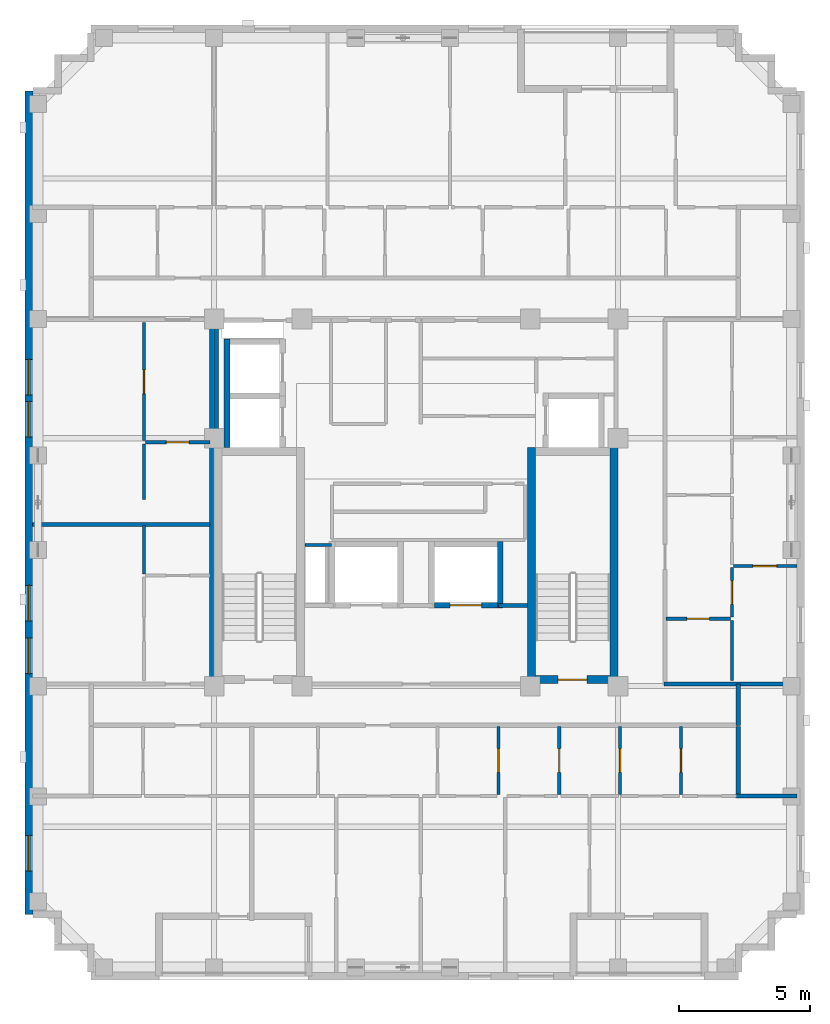
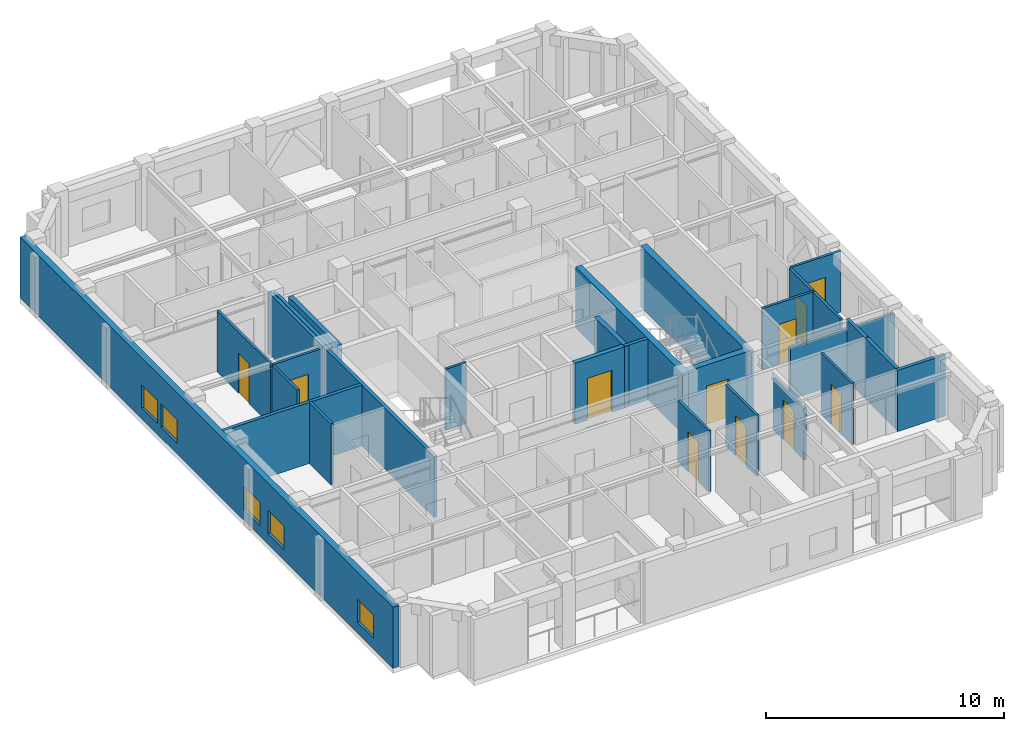
# One storey, part 4 of 11: 28 walls, 11 doors, 5 windows, 16 openings.
"""IFC4 building model written with IfcOpenShell, lengths in metres."""

from ifc_helpers import new_model, si_unit, derived_unit, direction, frame, frame_2d, origin, place, context, subcontext, project, spatial, rectangle, extrude, material, layer, layer_set, type_object, element, fill, save


model = new_model("IFC4")

# Units and contexts
model_context = context("Model", 3, precision=1e-05, world=origin(), true_north=direction((0.0, 1.0)))
body_context = subcontext(model_context, "Body", "Model", "MODEL_VIEW")
ifc_project = project(units=[si_unit("LENGTHUNIT", "METRE"), si_unit("AREAUNIT", "SQUARE_METRE"), si_unit("VOLUMEUNIT", "CUBIC_METRE"), si_unit("PLANEANGLEUNIT", "RADIAN"), si_unit("MASSUNIT", "GRAM", prefix="KILO"), derived_unit("THERMALTRANSMITTANCEUNIT", [(si_unit("MASSUNIT", "GRAM", prefix="KILO"), 1), (si_unit("TIMEUNIT", "SECOND"), -3), (si_unit("THERMODYNAMICTEMPERATUREUNIT", "KELVIN"), -1)])], contexts=[model_context])

# Site, building, storey
site_placement = place(None, origin())
site = spatial("IfcSite", under=ifc_project, at=site_placement, CompositionType="ELEMENT")
building_placement = place(site_placement, origin())
building = spatial("IfcBuilding", under=site, at=building_placement, Name="Korrvale Station Residences", CompositionType="ELEMENT")
storey_placement = place(building_placement, frame((0.0, 0.0, 241.10009765625)))
storey = spatial("IfcBuildingStorey", under=building, at=storey_placement, Name="L70", CompositionType="ELEMENT", Elevation=241.10009765625)

# Walls
ifc_material_1 = material(Name="Concrete C50/60", Category="concrete")
ifc_layer_1 = layer(ifc_material_1, 0.300048828125, Name="Concrete C50/60")
ifc_layer_set_1 = layer_set([ifc_layer_1], Name="Concrete C50/60")
wall_type_1 = type_object("IfcWallType", Name="WAL-CORE-300-C50", PredefinedType="SHEAR", material=ifc_layer_set_1)
for number, where, z_axis, x_axis, name in (
    (1, (29.89990234375, 15.10009765625, 0.0), (0.0, 0.0, 1.0), (0.0, 1.0, 0.0), "L70 ST-2 Core Shear Wall West"),
    (2, (33.050048828125, 15.10009765625, 0.0), (0.0, 0.0, 1.0), (0.0, 1.0, 0.0), "L70 ST-2 Core Shear Wall East"),
):
    element("IfcWall", number, at=place(storey_placement, frame(where, z_axis=z_axis, x_axis=x_axis)), inside=storey, type_object=wall_type_1, Name=name, PredefinedType="SHEAR", context=body_context, shape_type="SweptSolid", body=[
        extrude(rectangle(XDim=9.0, YDim=0.300048828125, at=frame_2d((4.5, 0.0))), origin(), (0.0, 0.0, 1.0), 3.139892578125),
    ])

# Wall, opening, door
wall_1_placement = place(storey_placement, frame((30.050048828125, 15.25, 0.0), z_axis=(0.0, 0.0, 1.0), x_axis=(1.0, 0.0, 0.0)))
wall_1 = element("IfcWall", 3, at=wall_1_placement, inside=storey, type_object=wall_type_1, Name="L70 ST-2 Core Shear Wall South", PredefinedType="SHEAR", context=body_context, shape_type="SweptSolid", body=[
    extrude(rectangle(XDim=2.849853515625, YDim=0.300048828125, at=frame_2d((1.4248046875, 0.0))), origin(), (0.0, 0.0, 1.0), 3.139892578125),
])
opening_1_placement = place(wall_1_placement, frame((0.860107421875, 0.0, 0.0)))
opening_1 = element("IfcOpeningElement", 4, at=opening_1_placement, cuts=wall_1, Name="Opening SD-1100", PredefinedType="OPENING", context=body_context, shape_type="SweptSolid", body=[
    extrude(rectangle(XDim=1.10009765625, YDim=2.050048828125, at=frame_2d((0.550048828125, 1.02490234375))), frame((0.0, 0.16015625, 0.0), z_axis=(0.0, -1.0, 0.0), x_axis=(1.0, 0.0, 0.0)), (0.0, 0.0, 1.0), 0.320068359375),
])
ifc_material_2 = material(Name="Hollow-metal fire-rated stair door with closer", Category="steel")
door_type_1 = type_object("IfcDoorType", Name="DR-STAIR-1100", OperationType="NOTDEFINED", PredefinedType="DOOR", material=ifc_material_2)
door_1_placement = place(opening_1_placement, origin())
door_1 = element("IfcDoor", 5, at=door_1_placement, inside=storey, type_object=door_type_1, Name="L70 ST-2 Exit Stair Door", OperationType="SINGLE_SWING_RIGHT", OverallHeight=2.050048828125, OverallWidth=1.10009765625, PredefinedType="DOOR", context=body_context, shape_type="SweptSolid", body=[
    extrude(rectangle(XDim=1.10009765625, YDim=2.050048828125, at=frame_2d((0.550048828125, 1.02490234375))), frame((0.0, 0.02490234375, 0.0), z_axis=(0.0, -1.0, 0.0), x_axis=(1.0, 0.0, 0.0)), (0.0, 0.0, 1.0), 0.050048828125),
])
fill(opening_1, door_1)

# Wall, openings, windows
ifc_material_3 = material(Name="Precast concrete C45/55", Category="concrete")
ifc_layer_2 = layer(ifc_material_3, 0.300048828125, Name="Precast concrete C45/55")
ifc_layer_set_2 = layer_set([ifc_layer_2], Name="Precast concrete C45/55")
wall_type_2 = type_object("IfcWallType", Name="WAL-EXT-PC300", PredefinedType="SOLIDWALL", material=ifc_layer_set_2)
wall_2_placement = place(storey_placement, frame((10.75, 6.300048828125, 0.0), z_axis=(0.0, 0.0, 1.0), x_axis=(0.0, 1.0, 0.0)))
wall_2 = element("IfcWall", 6, at=wall_2_placement, inside=storey, type_object=wall_type_2, Name="L70 West Exterior Precast Wall 1", PredefinedType="SOLIDWALL", context=body_context, shape_type="SweptSolid", body=[
    extrude(rectangle(XDim=31.39990234375, YDim=0.300048828125, at=frame_2d((15.699951171875, 0.0))), origin(), (0.0, 0.0, 1.0), 3.139892578125),
])
opening_2_placement = place(wall_2_placement, frame((1.653076171875, 0.0, 0.550048828125)))
opening_2 = element("IfcOpeningElement", 7, at=opening_2_placement, cuts=wall_2, Name="Opening W-10", PredefinedType="OPENING", context=body_context, shape_type="SweptSolid", body=[
    extrude(rectangle(XDim=1.35009765625, YDim=1.199951171875, at=frame_2d((0.675048828125, 0.60009765625))), frame((0.0, 0.16015625, 0.0), z_axis=(0.0, -1.0, 0.0), x_axis=(1.0, 0.0, 0.0)), (0.0, 0.0, 1.0), 0.320068359375),
])
opening_3_placement = place(wall_2_placement, frame((11.194091796875, 0.0, 0.550048828125)))
opening_3 = element("IfcOpeningElement", 8, at=opening_3_placement, cuts=wall_2, Name="Opening W-10", PredefinedType="OPENING", context=body_context, shape_type="SweptSolid", body=[
    extrude(rectangle(XDim=1.35009765625, YDim=1.199951171875, at=frame_2d((0.675048828125, 0.60009765625))), frame((0.0, 0.16015625, 0.0), z_axis=(0.0, -1.0, 0.0), x_axis=(1.0, 0.0, 0.0)), (0.0, 0.0, 1.0), 0.320068359375),
])
opening_4_placement = place(wall_2_placement, frame((9.18505859375, 0.0, 0.550048828125)))
opening_4 = element("IfcOpeningElement", 9, at=opening_4_placement, cuts=wall_2, Name="Opening W-10", PredefinedType="OPENING", context=body_context, shape_type="SweptSolid", body=[
    extrude(rectangle(XDim=1.35009765625, YDim=1.199951171875, at=frame_2d((0.675048828125, 0.60009765625))), frame((0.0, 0.16015625, 0.0), z_axis=(0.0, -1.0, 0.0), x_axis=(1.0, 0.0, 0.0)), (0.0, 0.0, 1.0), 0.320068359375),
])
opening_5_placement = place(wall_2_placement, frame((18.199951171875, 0.0, 0.550048828125)))
opening_5 = element("IfcOpeningElement", 10, at=opening_5_placement, cuts=wall_2, Name="Opening W-10", PredefinedType="OPENING", context=body_context, shape_type="SweptSolid", body=[
    extrude(rectangle(XDim=1.35009765625, YDim=1.199951171875, at=frame_2d((0.675048828125, 0.60009765625))), frame((0.0, 0.16015625, 0.0), z_axis=(0.0, -1.0, 0.0), x_axis=(1.0, 0.0, 0.0)), (0.0, 0.0, 1.0), 0.320068359375),
])
opening_6_placement = place(wall_2_placement, frame((19.81005859375, 0.0, 0.550048828125)))
opening_6 = element("IfcOpeningElement", 11, at=opening_6_placement, cuts=wall_2, Name="Opening W-10", PredefinedType="OPENING", context=body_context, shape_type="SweptSolid", body=[
    extrude(rectangle(XDim=1.35009765625, YDim=1.199951171875, at=frame_2d((0.675048828125, 0.60009765625))), frame((0.0, 0.16015625, 0.0), z_axis=(0.0, -1.0, 0.0), x_axis=(1.0, 0.0, 0.0)), (0.0, 0.0, 1.0), 0.320068359375),
])
ifc_material_4 = material(Name="Thermally broken aluminium frame with triple low-e glazing", Category="aluminium")
window_type = type_object("IfcWindowType", Name="WIN-W10", PartitioningType="SINGLE_PANEL", PredefinedType="WINDOW", material=ifc_material_4)
window_1_placement = place(opening_2_placement, origin())
window_1 = element("IfcWindow", 12, at=window_1_placement, inside=storey, type_object=window_type, Name="L70 Punched Window 01", OverallHeight=1.199951171875, OverallWidth=1.35009765625, PartitioningType="SINGLE_PANEL", PredefinedType="WINDOW", context=body_context, shape_type="SweptSolid", body=[
    extrude(rectangle(XDim=1.35009765625, YDim=1.199951171875, at=frame_2d((0.675048828125, 0.60009765625))), frame((0.0, 0.030029296875, 0.0), z_axis=(0.0, -1.0, 0.0), x_axis=(1.0, 0.0, 0.0)), (0.0, 0.0, 1.0), 0.06005859375),
])
fill(opening_2, window_1)
window_2_placement = place(opening_3_placement, origin())
window_2 = element("IfcWindow", 13, at=window_2_placement, inside=storey, type_object=window_type, Name="L70 Punched Window 11", OverallHeight=1.199951171875, OverallWidth=1.35009765625, PartitioningType="SINGLE_PANEL", PredefinedType="WINDOW", context=body_context, shape_type="SweptSolid", body=[
    extrude(rectangle(XDim=1.35009765625, YDim=1.199951171875, at=frame_2d((0.675048828125, 0.60009765625))), frame((0.0, 0.030029296875, 0.0), z_axis=(0.0, -1.0, 0.0), x_axis=(1.0, 0.0, 0.0)), (0.0, 0.0, 1.0), 0.06005859375),
])
fill(opening_3, window_2)
window_3_placement = place(opening_4_placement, origin())
window_3 = element("IfcWindow", 14, at=window_3_placement, inside=storey, type_object=window_type, Name="L70 Punched Window 12", OverallHeight=1.199951171875, OverallWidth=1.35009765625, PartitioningType="SINGLE_PANEL", PredefinedType="WINDOW", context=body_context, shape_type="SweptSolid", body=[
    extrude(rectangle(XDim=1.35009765625, YDim=1.199951171875, at=frame_2d((0.675048828125, 0.60009765625))), frame((0.0, 0.030029296875, 0.0), z_axis=(0.0, -1.0, 0.0), x_axis=(1.0, 0.0, 0.0)), (0.0, 0.0, 1.0), 0.06005859375),
])
fill(opening_4, window_3)
window_4_placement = place(opening_5_placement, origin())
window_4 = element("IfcWindow", 15, at=window_4_placement, inside=storey, type_object=window_type, Name="L70 Punched Window 13", OverallHeight=1.199951171875, OverallWidth=1.35009765625, PartitioningType="SINGLE_PANEL", PredefinedType="WINDOW", context=body_context, shape_type="SweptSolid", body=[
    extrude(rectangle(XDim=1.35009765625, YDim=1.199951171875, at=frame_2d((0.675048828125, 0.60009765625))), frame((0.0, 0.030029296875, 0.0), z_axis=(0.0, -1.0, 0.0), x_axis=(1.0, 0.0, 0.0)), (0.0, 0.0, 1.0), 0.06005859375),
])
fill(opening_5, window_4)
window_5_placement = place(opening_6_placement, origin())
window_5 = element("IfcWindow", 16, at=window_5_placement, inside=storey, type_object=window_type, Name="L70 Punched Window 14", OverallHeight=1.199951171875, OverallWidth=1.35009765625, PartitioningType="SINGLE_PANEL", PredefinedType="WINDOW", context=body_context, shape_type="SweptSolid", body=[
    extrude(rectangle(XDim=1.35009765625, YDim=1.199951171875, at=frame_2d((0.675048828125, 0.60009765625))), frame((0.0, 0.030029296875, 0.0), z_axis=(0.0, -1.0, 0.0), x_axis=(1.0, 0.0, 0.0)), (0.0, 0.0, 1.0), 0.06005859375),
])
fill(opening_6, window_5)

# Wall
ifc_material_5 = material(Name="Acoustic steel-stud gypsum board partition", Category="steel")
ifc_layer_3 = layer(ifc_material_5, 0.1201171875, Name="Acoustic steel-stud gypsum board partition")
ifc_layer_set_3 = layer_set([ifc_layer_3], Name="Acoustic steel-stud gypsum board partition")
wall_type_3 = type_object("IfcWallType", Name="WAL-PART-125", PredefinedType="PARTITIONING", material=ifc_layer_set_3)
wall_3_placement = place(storey_placement, frame((22.280029296875, 20.3798828125, 0.0), z_axis=(0.0, 0.0, 1.0), x_axis=(-1.0, 0.0, 0.0)))
element("IfcWall", 17, at=wall_3_placement, inside=storey, type_object=wall_type_3, Name="L70 Core Partition CW-RSWT-N", PredefinedType="PARTITIONING", context=body_context, shape_type="SweptSolid", body=[
    extrude(rectangle(XDim=1.02001953125, YDim=0.1201171875, at=frame_2d((0.510009765625, 0.0))), origin(), (0.0, 0.0, 1.0), 3.139892578125),
])

# Wall, opening, door
wall_4_placement = place(storey_placement, frame((28.638916015625, 10.8701171875, 0.0), z_axis=(0.0, 0.0, 1.0), x_axis=(0.0, 1.0, 0.0)))
wall_4 = element("IfcWall", 18, at=wall_4_placement, inside=storey, type_object=wall_type_3, Name="L70 Suite Partition U02-V23", PredefinedType="PARTITIONING", context=body_context, shape_type="SweptSolid", body=[
    extrude(rectangle(XDim=2.599853515625, YDim=0.1201171875, at=frame_2d((1.2998046875, 0.0))), origin(), (0.0, 0.0, 1.0), 3.139892578125),
])
opening_7_placement = place(wall_4_placement, frame((0.85009765625, 0.0, 0.0)))
opening_7 = element("IfcOpeningElement", 19, at=opening_7_placement, cuts=wall_4, Name="Opening DI-900", PredefinedType="OPENING", context=body_context, shape_type="SweptSolid", body=[
    extrude(rectangle(XDim=0.89990234375, YDim=2.050048828125, at=frame_2d((0.449951171875, 1.02490234375))), frame((0.0, 0.070068359375, 0.0), z_axis=(0.0, -1.0, 0.0), x_axis=(1.0, 0.0, 0.0)), (0.0, 0.0, 1.0), 0.14013671875),
])
ifc_material_6 = material(Name="Painted solid-core timber interior room door", Category="wood")
door_type_2 = type_object("IfcDoorType", Name="DR-INT-900", OperationType="NOTDEFINED", PredefinedType="DOOR", material=ifc_material_6)
door_2_placement = place(opening_7_placement, origin())
door_2 = element("IfcDoor", 20, at=door_2_placement, inside=storey, type_object=door_type_2, Name="L70 Studio Apartment L70-U02 Wardrobe Storage Room Door", OperationType="SINGLE_SWING_RIGHT", OverallHeight=2.050048828125, OverallWidth=0.89990234375, PredefinedType="DOOR", context=body_context, shape_type="SweptSolid", body=[
    extrude(rectangle(XDim=0.89990234375, YDim=2.050048828125, at=frame_2d((0.449951171875, 1.02490234375))), frame((0.0, 0.02490234375, 0.0), z_axis=(0.0, -1.0, 0.0), x_axis=(1.0, 0.0, 0.0)), (0.0, 0.0, 1.0), 0.050048828125),
])
fill(opening_7, door_2)

wall_5_placement = place(storey_placement, frame((30.958984375, 10.8701171875, 0.0), z_axis=(0.0, 0.0, 1.0), x_axis=(0.0, 1.0, 0.0)))
wall_5 = element("IfcWall", 21, at=wall_5_placement, inside=storey, type_object=wall_type_3, Name="L70 Suite Partition U02-V34", PredefinedType="PARTITIONING", context=body_context, shape_type="SweptSolid", body=[
    extrude(rectangle(XDim=2.599853515625, YDim=0.1201171875, at=frame_2d((1.2998046875, 0.0))), origin(), (0.0, 0.0, 1.0), 3.139892578125),
])
opening_8_placement = place(wall_5_placement, frame((0.85009765625, 0.0, 0.0)))
opening_8 = element("IfcOpeningElement", 22, at=opening_8_placement, cuts=wall_5, Name="Opening DI-900", PredefinedType="OPENING", context=body_context, shape_type="SweptSolid", body=[
    extrude(rectangle(XDim=0.89990234375, YDim=2.050048828125, at=frame_2d((0.449951171875, 1.02490234375))), frame((0.0, 0.070068359375, 0.0), z_axis=(0.0, -1.0, 0.0), x_axis=(1.0, 0.0, 0.0)), (0.0, 0.0, 1.0), 0.14013671875),
])
door_3_placement = place(opening_8_placement, origin())
door_3 = element("IfcDoor", 23, at=door_3_placement, inside=storey, type_object=door_type_2, Name="L70 Studio Apartment L70-U02 Wardrobe Storage Room Door", OperationType="SINGLE_SWING_RIGHT", OverallHeight=2.050048828125, OverallWidth=0.89990234375, PredefinedType="DOOR", context=body_context, shape_type="SweptSolid", body=[
    extrude(rectangle(XDim=0.89990234375, YDim=2.050048828125, at=frame_2d((0.449951171875, 1.02490234375))), frame((0.0, 0.02490234375, 0.0), z_axis=(0.0, -1.0, 0.0), x_axis=(1.0, 0.0, 0.0)), (0.0, 0.0, 1.0), 0.050048828125),
])
fill(opening_8, door_3)

wall_6_placement = place(storey_placement, frame((33.279052734375, 10.8701171875, 0.0), z_axis=(0.0, 0.0, 1.0), x_axis=(0.0, 1.0, 0.0)))
wall_6 = element("IfcWall", 24, at=wall_6_placement, inside=storey, type_object=wall_type_3, Name="L70 Suite Partition U02-V45", PredefinedType="PARTITIONING", context=body_context, shape_type="SweptSolid", body=[
    extrude(rectangle(XDim=2.599853515625, YDim=0.1201171875, at=frame_2d((1.2998046875, 0.0))), origin(), (0.0, 0.0, 1.0), 2.66796875),
])
opening_9_placement = place(wall_6_placement, frame((0.85009765625, 0.0, 0.0)))
opening_9 = element("IfcOpeningElement", 25, at=opening_9_placement, cuts=wall_6, Name="Opening DI-900", PredefinedType="OPENING", context=body_context, shape_type="SweptSolid", body=[
    extrude(rectangle(XDim=0.89990234375, YDim=2.050048828125, at=frame_2d((0.449951171875, 1.02490234375))), frame((0.0, 0.070068359375, 0.0), z_axis=(0.0, -1.0, 0.0), x_axis=(1.0, 0.0, 0.0)), (0.0, 0.0, 1.0), 0.14013671875),
])
door_4_placement = place(opening_9_placement, origin())
door_4 = element("IfcDoor", 26, at=door_4_placement, inside=storey, type_object=door_type_2, Name="L70 Studio Apartment L70-U02 Wardrobe Storage Room Door", OperationType="SINGLE_SWING_RIGHT", OverallHeight=2.050048828125, OverallWidth=0.89990234375, PredefinedType="DOOR", context=body_context, shape_type="SweptSolid", body=[
    extrude(rectangle(XDim=0.89990234375, YDim=2.050048828125, at=frame_2d((0.449951171875, 1.02490234375))), frame((0.0, 0.02490234375, 0.0), z_axis=(0.0, -1.0, 0.0), x_axis=(1.0, 0.0, 0.0)), (0.0, 0.0, 1.0), 0.050048828125),
])
fill(opening_9, door_4)

wall_7_placement = place(storey_placement, frame((35.59912109375, 10.8701171875, 0.0), z_axis=(0.0, 0.0, 1.0), x_axis=(0.0, 1.0, 0.0)))
wall_7 = element("IfcWall", 27, at=wall_7_placement, inside=storey, type_object=wall_type_3, Name="L70 Suite Partition U02-V56", PredefinedType="PARTITIONING", context=body_context, shape_type="SweptSolid", body=[
    extrude(rectangle(XDim=2.599853515625, YDim=0.1201171875, at=frame_2d((1.2998046875, 0.0))), origin(), (0.0, 0.0, 1.0), 3.139892578125),
])
opening_10_placement = place(wall_7_placement, frame((0.85009765625, 0.0, 0.0)))
opening_10 = element("IfcOpeningElement", 28, at=opening_10_placement, cuts=wall_7, Name="Opening DI-900", PredefinedType="OPENING", context=body_context, shape_type="SweptSolid", body=[
    extrude(rectangle(XDim=0.89990234375, YDim=2.050048828125, at=frame_2d((0.449951171875, 1.02490234375))), frame((0.0, 0.070068359375, 0.0), z_axis=(0.0, -1.0, 0.0), x_axis=(1.0, 0.0, 0.0)), (0.0, 0.0, 1.0), 0.14013671875),
])
door_5_placement = place(opening_10_placement, origin())
door_5 = element("IfcDoor", 29, at=door_5_placement, inside=storey, type_object=door_type_2, Name="L70 Studio Apartment L70-U02 Wardrobe Storage Room Door", OperationType="SINGLE_SWING_LEFT", OverallHeight=2.050048828125, OverallWidth=0.89990234375, PredefinedType="DOOR", context=body_context, shape_type="SweptSolid", body=[
    extrude(rectangle(XDim=0.89990234375, YDim=2.050048828125, at=frame_2d((0.449951171875, 1.02490234375))), frame((0.0, 0.02490234375, 0.0), z_axis=(0.0, -1.0, 0.0), x_axis=(1.0, 0.0, 0.0)), (0.0, 0.0, 1.0), 0.050048828125),
])
fill(opening_10, door_5)

# Wall
wall_8_placement = place(storey_placement, frame((15.1298828125, 19.27587890625, 0.0), z_axis=(0.0, 0.0, 1.0), x_axis=(0.0, 1.0, 0.0)))
element("IfcWall", 30, at=wall_8_placement, inside=storey, type_object=wall_type_3, Name="L70 Suite Partition U04-V02", PredefinedType="PARTITIONING", context=body_context, shape_type="SweptSolid", body=[
    extrude(rectangle(XDim=1.85009765625, YDim=0.1201171875, at=frame_2d((0.925048828125, 0.0))), origin(), (0.0, 0.0, 1.0), 3.139892578125),
])

# Wall, opening, door
wall_9_placement = place(storey_placement, frame((15.18994140625, 24.300048828125, 0.0), z_axis=(0.0, 0.0, 1.0), x_axis=(1.0, 0.0, 0.0)))
wall_9 = element("IfcWall", 31, at=wall_9_placement, inside=storey, type_object=wall_type_3, Name="L70 Suite Partition U05-H01", PredefinedType="PARTITIONING", context=body_context, shape_type="SweptSolid", body=[
    extrude(rectangle(XDim=2.449951171875, YDim=0.1201171875, at=frame_2d((1.22509765625, 0.0))), origin(), (0.0, 0.0, 1.0), 3.139892578125),
])
opening_11_placement = place(wall_9_placement, frame((0.794921875, 0.0, 0.0)))
opening_11 = element("IfcOpeningElement", 32, at=opening_11_placement, cuts=wall_9, Name="Opening DB-860", PredefinedType="OPENING", context=body_context, shape_type="SweptSolid", body=[
    extrude(rectangle(XDim=0.860107421875, YDim=2.050048828125, at=frame_2d((0.43017578125, 1.02490234375))), frame((0.0, 0.070068359375, 0.0), z_axis=(0.0, -1.0, 0.0), x_axis=(1.0, 0.0, 0.0)), (0.0, 0.0, 1.0), 0.14013671875),
])
ifc_material_7 = material(Name="Moisture-resistant solid-core bathroom door", Category="timber")
door_type_3 = type_object("IfcDoorType", Name="DR-BATH-860", OperationType="NOTDEFINED", PredefinedType="DOOR", material=ifc_material_7)
door_6_placement = place(opening_11_placement, origin())
door_6 = element("IfcDoor", 33, at=door_6_placement, inside=storey, type_object=door_type_3, Name="L70 Studio Apartment L70-U05 Bathroom Door", OperationType="SINGLE_SWING_LEFT", OverallHeight=2.050048828125, OverallWidth=0.860107421875, PredefinedType="DOOR", context=body_context, shape_type="SweptSolid", body=[
    extrude(rectangle(XDim=0.860107421875, YDim=2.050048828125, at=frame_2d((0.43017578125, 1.02490234375))), frame((0.0, 0.02490234375, 0.0), z_axis=(0.0, -1.0, 0.0), x_axis=(1.0, 0.0, 0.0)), (0.0, 0.0, 1.0), 0.050048828125),
])
fill(opening_11, door_6)

# Wall
wall_10_placement = place(storey_placement, frame((15.1298828125, 22.118896484375, 0.0), z_axis=(0.0, 0.0, 1.0), x_axis=(0.0, 1.0, 0.0)))
element("IfcWall", 34, at=wall_10_placement, inside=storey, type_object=wall_type_3, Name="L70 Suite Partition U05-V02", PredefinedType="PARTITIONING", context=body_context, shape_type="SweptSolid", body=[
    extrude(rectangle(XDim=2.12109375, YDim=0.1201171875, at=frame_2d((1.060546875, 0.0))), origin(), (0.0, 0.0, 1.0), 3.139892578125),
])

# Wall, opening, door
wall_11_placement = place(storey_placement, frame((15.1298828125, 24.360107421875, 0.0), z_axis=(0.0, 0.0, 1.0), x_axis=(0.0, 1.0, 0.0)))
wall_11 = element("IfcWall", 35, at=wall_11_placement, inside=storey, type_object=wall_type_3, Name="L70 Suite Partition U05-V12", PredefinedType="PARTITIONING", context=body_context, shape_type="SweptSolid", body=[
    extrude(rectangle(XDim=4.5, YDim=0.1201171875, at=frame_2d((2.25, 0.0))), origin(), (0.0, 0.0, 1.0), 3.139892578125),
])
opening_12_placement = place(wall_11_placement, frame((1.800048828125, 0.0, 0.0)))
opening_12 = element("IfcOpeningElement", 36, at=opening_12_placement, cuts=wall_11, Name="Opening DI-900", PredefinedType="OPENING", context=body_context, shape_type="SweptSolid", body=[
    extrude(rectangle(XDim=0.89990234375, YDim=2.050048828125, at=frame_2d((0.449951171875, 1.02490234375))), frame((0.0, 0.070068359375, 0.0), z_axis=(0.0, -1.0, 0.0), x_axis=(1.0, 0.0, 0.0)), (0.0, 0.0, 1.0), 0.14013671875),
])
door_7_placement = place(opening_12_placement, origin())
door_7 = element("IfcDoor", 37, at=door_7_placement, inside=storey, type_object=door_type_2, Name="L70 Studio Apartment L70-U05 Kitchen Door", OperationType="SINGLE_SWING_RIGHT", OverallHeight=2.050048828125, OverallWidth=0.89990234375, PredefinedType="DOOR", context=body_context, shape_type="SweptSolid", body=[
    extrude(rectangle(XDim=0.89990234375, YDim=2.050048828125, at=frame_2d((0.449951171875, 1.02490234375))), frame((0.0, 0.02490234375, 0.0), z_axis=(0.0, -1.0, 0.0), x_axis=(1.0, 0.0, 0.0)), (0.0, 0.0, 1.0), 0.050048828125),
])
fill(opening_12, door_7)

wall_12_placement = place(storey_placement, frame((35.030029296875, 17.570068359375, 0.0), z_axis=(0.0, 0.0, 1.0), x_axis=(1.0, 0.0, 0.0)))
wall_12 = element("IfcWall", 38, at=wall_12_placement, inside=storey, type_object=wall_type_3, Name="L70 Suite Partition U06-H12", PredefinedType="PARTITIONING", context=body_context, shape_type="SweptSolid", body=[
    extrude(rectangle(XDim=2.449951171875, YDim=0.1201171875, at=frame_2d((1.22509765625, 0.0))), origin(), (0.0, 0.0, 1.0), 3.139892578125),
])
opening_13_placement = place(wall_12_placement, frame((0.794921875, 0.0, 0.0)))
opening_13 = element("IfcOpeningElement", 39, at=opening_13_placement, cuts=wall_12, Name="Opening DB-860", PredefinedType="OPENING", context=body_context, shape_type="SweptSolid", body=[
    extrude(rectangle(XDim=0.860107421875, YDim=2.050048828125, at=frame_2d((0.43017578125, 1.02490234375))), frame((0.0, 0.070068359375, 0.0), z_axis=(0.0, -1.0, 0.0), x_axis=(1.0, 0.0, 0.0)), (0.0, 0.0, 1.0), 0.14013671875),
])
door_8_placement = place(opening_13_placement, origin())
door_8 = element("IfcDoor", 40, at=door_8_placement, inside=storey, type_object=door_type_3, Name="L70 Apartment 2BR L70-U06 Bathroom Door", OperationType="SINGLE_SWING_RIGHT", OverallHeight=2.050048828125, OverallWidth=0.860107421875, PredefinedType="DOOR", context=body_context, shape_type="SweptSolid", body=[
    extrude(rectangle(XDim=0.860107421875, YDim=2.050048828125, at=frame_2d((0.43017578125, 1.02490234375))), frame((0.0, 0.02490234375, 0.0), z_axis=(0.0, -1.0, 0.0), x_axis=(1.0, 0.0, 0.0)), (0.0, 0.0, 1.0), 0.050048828125),
])
fill(opening_13, door_8)

# Wall
wall_13_placement = place(storey_placement, frame((37.5400390625, 15.2099609375, 0.0), z_axis=(0.0, 0.0, 1.0), x_axis=(0.0, 1.0, 0.0)))
element("IfcWall", 41, at=wall_13_placement, inside=storey, type_object=wall_type_3, Name="L70 Suite Partition U06-V13", PredefinedType="PARTITIONING", context=body_context, shape_type="SweptSolid", body=[
    extrude(rectangle(XDim=2.300048828125, YDim=0.1201171875, at=frame_2d((1.14990234375, 0.0))), origin(), (0.0, 0.0, 1.0), 3.139892578125),
])

# Wall, opening, door
wall_14_placement = place(storey_placement, frame((37.5400390625, 17.6298828125, 0.0), z_axis=(0.0, 0.0, 1.0), x_axis=(0.0, 1.0, 0.0)))
wall_14 = element("IfcWall", 42, at=wall_14_placement, inside=storey, type_object=wall_type_3, Name="L70 Suite Partition U06-V23", PredefinedType="PARTITIONING", context=body_context, shape_type="SweptSolid", body=[
    extrude(rectangle(XDim=1.88818359375, YDim=0.1201171875, at=frame_2d((0.944091796875, 0.0))), origin(), (0.0, 0.0, 1.0), 3.139892578125),
])
opening_14_placement = place(wall_14_placement, frame((0.493896484375, 0.0, 0.0)))
opening_14 = element("IfcOpeningElement", 43, at=opening_14_placement, cuts=wall_14, Name="Opening DI-900", PredefinedType="OPENING", context=body_context, shape_type="SweptSolid", body=[
    extrude(rectangle(XDim=0.89990234375, YDim=2.050048828125, at=frame_2d((0.449951171875, 1.02490234375))), frame((0.0, 0.070068359375, 0.0), z_axis=(0.0, -1.0, 0.0), x_axis=(1.0, 0.0, 0.0)), (0.0, 0.0, 1.0), 0.14013671875),
])
door_9_placement = place(opening_14_placement, origin())
door_9 = element("IfcDoor", 44, at=door_9_placement, inside=storey, type_object=door_type_2, Name="L70 Apartment 2BR L70-U06 Kitchen Door", OperationType="SINGLE_SWING_LEFT", OverallHeight=2.050048828125, OverallWidth=0.89990234375, PredefinedType="DOOR", context=body_context, shape_type="SweptSolid", body=[
    extrude(rectangle(XDim=0.89990234375, YDim=2.050048828125, at=frame_2d((0.449951171875, 1.02490234375))), frame((0.0, 0.02490234375, 0.0), z_axis=(0.0, -1.0, 0.0), x_axis=(1.0, 0.0, 0.0)), (0.0, 0.0, 1.0), 0.050048828125),
])
fill(opening_14, door_9)

wall_15_placement = place(storey_placement, frame((37.60009765625, 19.577880859375, 0.0), z_axis=(0.0, 0.0, 1.0), x_axis=(1.0, 0.0, 0.0)))
wall_15 = element("IfcWall", 45, at=wall_15_placement, inside=storey, type_object=wall_type_3, Name="L70 Suite Partition U06-H34", PredefinedType="PARTITIONING", context=body_context, shape_type="SweptSolid", body=[
    extrude(rectangle(XDim=2.419921875, YDim=0.1201171875, at=frame_2d((1.2099609375, 0.0))), origin(), (0.0, 0.0, 1.0), 3.139892578125),
])
opening_15_placement = place(wall_15_placement, frame((0.7451171875, 0.0, 0.0)))
opening_15 = element("IfcOpeningElement", 46, at=opening_15_placement, cuts=wall_15, Name="Opening DI-900", PredefinedType="OPENING", context=body_context, shape_type="SweptSolid", body=[
    extrude(rectangle(XDim=0.89990234375, YDim=2.050048828125, at=frame_2d((0.449951171875, 1.02490234375))), frame((0.0, 0.070068359375, 0.0), z_axis=(0.0, -1.0, 0.0), x_axis=(1.0, 0.0, 0.0)), (0.0, 0.0, 1.0), 0.14013671875),
])
door_10_placement = place(opening_15_placement, origin())
door_10 = element("IfcDoor", 47, at=door_10_placement, inside=storey, type_object=door_type_2, Name="L70 Apartment 2BR L70-U06 Bedroom 1 Door", OperationType="SINGLE_SWING_LEFT", OverallHeight=2.050048828125, OverallWidth=0.89990234375, PredefinedType="DOOR", context=body_context, shape_type="SweptSolid", body=[
    extrude(rectangle(XDim=0.89990234375, YDim=2.050048828125, at=frame_2d((0.449951171875, 1.02490234375))), frame((0.0, 0.02490234375, 0.0), z_axis=(0.0, -1.0, 0.0), x_axis=(1.0, 0.0, 0.0)), (0.0, 0.0, 1.0), 0.050048828125),
])
fill(opening_15, door_10)

# Walls
ifc_material_8 = material(Name="Fire-rated twin-stud gypsum and mineral wool shaftwall assembly", Category="gypsum")
ifc_layer_4 = layer(ifc_material_8, 0.159912109375, Name="Fire-rated twin-stud gypsum and mineral wool shaftwall assembly")
ifc_layer_set_4 = layer_set([ifc_layer_4], Name="Fire-rated twin-stud gypsum and mineral wool shaftwall assembly")
wall_type_4 = type_object("IfcWallType", Name="WAL-PART-200", PredefinedType="PARTITIONING", material=ifc_layer_set_4)
wall_16_placement = place(storey_placement, frame((28.64990234375, 18.080078125, 0.0), z_axis=(0.0, 0.0, 1.0), x_axis=(1.0, 0.0, 0.0)))
element("IfcWall", 48, at=wall_16_placement, inside=storey, type_object=wall_type_4, Name="L70 Core Partition CW-FFL-N3", PredefinedType="PARTITIONING", context=body_context, shape_type="SweptSolid", body=[
    extrude(rectangle(XDim=1.10009765625, YDim=0.159912109375, at=frame_2d((0.550048828125, 0.0))), origin(), (0.0, 0.0, 1.0), 3.139892578125),
])
wall_17_placement = place(storey_placement, frame((17.8798828125, 24.1201171875, 0.0), z_axis=(0.0, 0.0, 1.0), x_axis=(0.0, 1.0, 0.0)))
element("IfcWall", 49, at=wall_17_placement, inside=storey, type_object=wall_type_4, Name="L70 Core Partition CW-W-N", PredefinedType="PARTITIONING", context=body_context, shape_type="SweptSolid", body=[
    extrude(rectangle(XDim=4.759765625, YDim=0.159912109375, at=frame_2d((2.3798828125, 0.0))), origin(), (0.0, 0.0, 1.0), 3.139892578125),
])
wall_18_placement = place(storey_placement, frame((37.780029296875, 13.510009765625, 0.0), z_axis=(0.0, 0.0, 1.0), x_axis=(0.0, 1.0, 0.0)))
element("IfcWall", 50, at=wall_18_placement, inside=storey, type_object=wall_type_4, Name="L70 Corridor South East Cap", PredefinedType="PARTITIONING", context=body_context, shape_type="SweptSolid", body=[
    extrude(rectangle(XDim=1.580078125, YDim=0.159912109375, at=frame_2d((0.7900390625, 0.0))), origin(), (0.0, 0.0, 1.0), 3.139892578125),
])
wall_19_placement = place(storey_placement, frame((34.949951171875, 15.090087890625, 0.0), z_axis=(0.0, 0.0, 1.0), x_axis=(1.0, 0.0, 0.0)))
element("IfcWall", 51, at=wall_19_placement, inside=storey, type_object=wall_type_4, Name="L70 East Wing South Corridor Wall", PredefinedType="PARTITIONING", context=body_context, shape_type="SweptSolid", body=[
    extrude(rectangle(XDim=5.070068359375, YDim=0.159912109375, at=frame_2d((2.53515625, 0.0))), origin(), (0.0, 0.0, 1.0), 2.66796875),
])
wall_20_placement = place(storey_placement, frame((37.679931640625, 10.81005859375, 0.0), z_axis=(0.0, 0.0, 1.0), x_axis=(1.0, 0.0, 0.0)))
element("IfcWall", 52, at=wall_20_placement, inside=storey, type_object=wall_type_4, Name="L70 Corner Step Wall U02-R", PredefinedType="PARTITIONING", context=body_context, shape_type="SweptSolid", body=[
    extrude(rectangle(XDim=2.340087890625, YDim=0.159912109375, at=frame_2d((1.169921875, 0.0))), origin(), (0.0, 0.0, 1.0), 3.139892578125),
])
wall_21_placement = place(storey_placement, frame((37.780029296875, 10.81005859375, 0.0), z_axis=(0.0, 0.0, 1.0), x_axis=(0.0, 1.0, 0.0)))
element("IfcWall", 53, at=wall_21_placement, inside=storey, type_object=wall_type_4, Name="L70 Corner Step Cheek U02-R", PredefinedType="PARTITIONING", context=body_context, shape_type="SweptSolid", body=[
    extrude(rectangle(XDim=2.659912109375, YDim=0.159912109375, at=frame_2d((1.330078125, 0.0))), origin(), (0.0, 0.0, 1.0), 3.139892578125),
])
wall_22_placement = place(storey_placement, frame((10.8798828125, 21.166015625, 0.0), z_axis=(0.0, 0.0, 1.0), x_axis=(1.0, 0.0, 0.0)))
element("IfcWall", 54, at=wall_22_placement, inside=storey, type_object=wall_type_4, Name="L70 Demising Wall U04-N", PredefinedType="PARTITIONING", context=body_context, shape_type="SweptSolid", body=[
    extrude(rectangle(XDim=6.760009765625, YDim=0.159912109375, at=frame_2d((3.3798828125, 0.0))), origin(), (0.0, 0.0, 1.0), 3.139892578125),
])
wall_23_placement = place(storey_placement, frame((17.699951171875, 15.02001953125, 0.0), z_axis=(0.0, 0.0, 1.0), x_axis=(0.0, 1.0, 0.0)))
element("IfcWall", 55, at=wall_23_placement, inside=storey, type_object=wall_type_4, Name="L70 Rated Corridor Wall W", PredefinedType="PARTITIONING", context=body_context, shape_type="SweptSolid", body=[
    extrude(rectangle(XDim=13.97998046875, YDim=0.159912109375, at=frame_2d((6.989990234375, 0.0))), origin(), (0.0, 0.0, 1.0), 3.139892578125),
])
ifc_layer_5 = layer(ifc_material_1, 0.219970703125, Name="Concrete C50/60")
ifc_layer_set_5 = layer_set([ifc_layer_5], Name="Concrete C50/60")
wall_type_5 = type_object("IfcWallType", Name="WAL-SHAFT-220-C50", PredefinedType="SHEAR", material=ifc_layer_set_5)
wall_24_placement = place(storey_placement, frame((18.2900390625, 24.10009765625, 0.0), z_axis=(0.0, 0.0, 1.0), x_axis=(0.0, 1.0, 0.0)))
element("IfcWall", 56, at=wall_24_placement, inside=storey, type_object=wall_type_5, Name="L70 Elevator PH-1 Hoistway Wall West", PredefinedType="SHEAR", context=body_context, shape_type="SweptSolid", body=[
    extrude(rectangle(XDim=4.139892578125, YDim=0.219970703125, at=frame_2d((2.06982421875, 0.0))), origin(), (0.0, 0.0, 1.0), 3.139892578125),
])

# Wall, opening, door
wall_25_placement = place(storey_placement, frame((26.199951171875, 18.090087890625, 0.0), z_axis=(0.0, 0.0, 1.0), x_axis=(1.0, 0.0, 0.0)))
wall_25 = element("IfcWall", 57, at=wall_25_placement, inside=storey, type_object=wall_type_5, Name="L70 Elevator FFL-2 Hoistway Wall South", PredefinedType="SHEAR", context=body_context, shape_type="SweptSolid", body=[
    extrude(rectangle(XDim=2.400146484375, YDim=0.219970703125, at=frame_2d((1.2001953125, 0.0))), origin(), (0.0, 0.0, 1.0), 3.139892578125),
])
opening_16_placement = place(wall_25_placement, frame((0.60009765625, 0.0, 0.0)))
opening_16 = element("IfcOpeningElement", 58, at=opening_16_placement, cuts=wall_25, Name="Opening LD-FF1200", PredefinedType="OPENING", context=body_context, shape_type="SweptSolid", body=[
    extrude(rectangle(XDim=1.199951171875, YDim=2.14990234375, at=frame_2d((0.60009765625, 1.074951171875))), frame((0.0, 0.1201171875, 0.0), z_axis=(0.0, -1.0, 0.0), x_axis=(1.0, 0.0, 0.0)), (0.0, 0.0, 1.0), 0.239990234375),
])
ifc_material_9 = material(Name="Stainless-steel firefighter elevator landing sliding door", Category="steel")
door_type_4 = type_object("IfcDoorType", Name="DR-LIFT-FF1200", OperationType="SLIDING_TO_LEFT", PredefinedType="DOOR", material=ifc_material_9)
door_11_placement = place(opening_16_placement, origin())
door_11 = element("IfcDoor", 59, at=door_11_placement, inside=storey, type_object=door_type_4, Name="L70 Elevator FFL-2 Sliding Landing Door", OperationType="SLIDING_TO_LEFT", OverallHeight=2.14990234375, OverallWidth=1.199951171875, PredefinedType="DOOR", context=body_context, shape_type="SweptSolid", body=[
    extrude(rectangle(XDim=1.199951171875, YDim=2.14990234375, at=frame_2d((0.60009765625, 1.074951171875))), frame((0.0, 0.02490234375, 0.0), z_axis=(0.0, -1.0, 0.0), x_axis=(1.0, 0.0, 0.0)), (0.0, 0.0, 1.0), 0.050048828125),
])
fill(opening_16, door_11)

# Wall
wall_26_placement = place(storey_placement, frame((28.7099609375, 17.97998046875, 0.0), z_axis=(0.0, 0.0, 1.0), x_axis=(0.0, 1.0, 0.0)))
element("IfcWall", 60, at=wall_26_placement, inside=storey, type_object=wall_type_5, Name="L70 Elevator FFL-2 Hoistway Wall East", PredefinedType="SHEAR", context=body_context, shape_type="SweptSolid", body=[
    extrude(rectangle(XDim=2.5400390625, YDim=0.219970703125, at=frame_2d((1.27001953125, 0.0))), origin(), (0.0, 0.0, 1.0), 3.139892578125),
])

save(model, "model.ifc")
